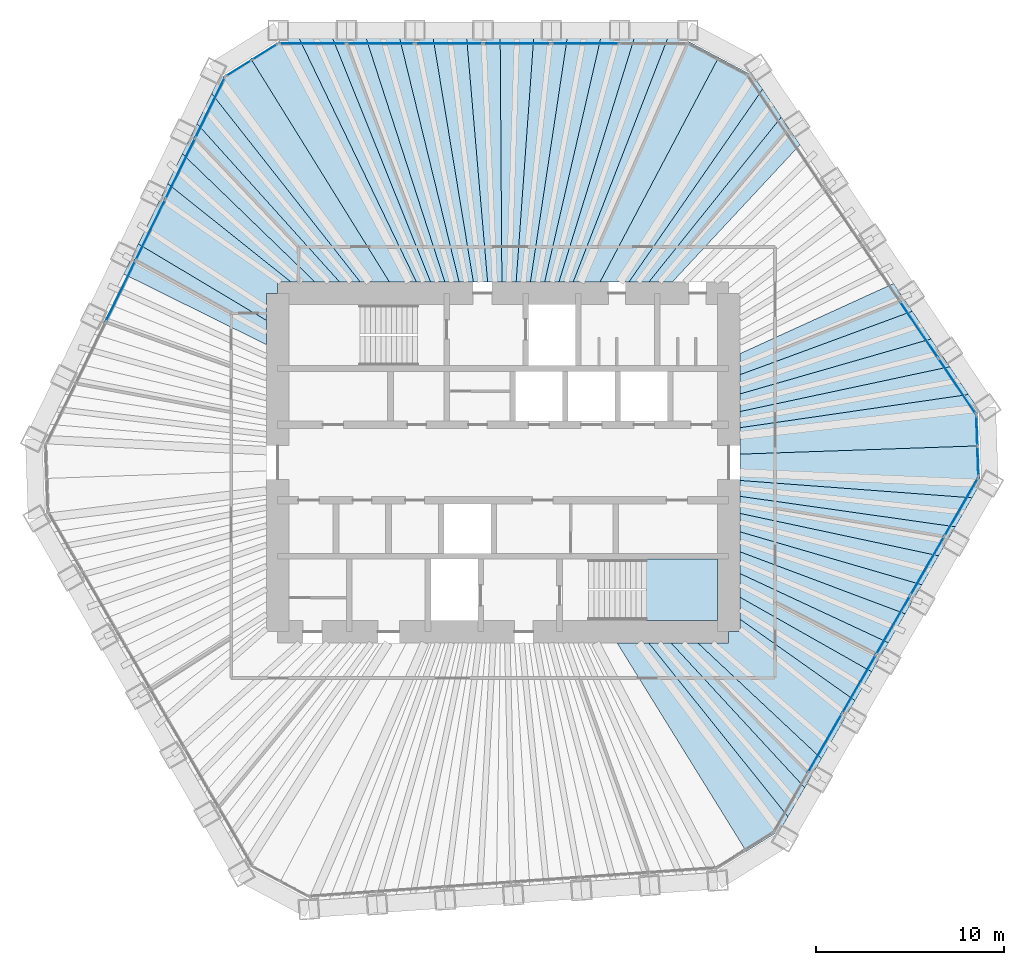
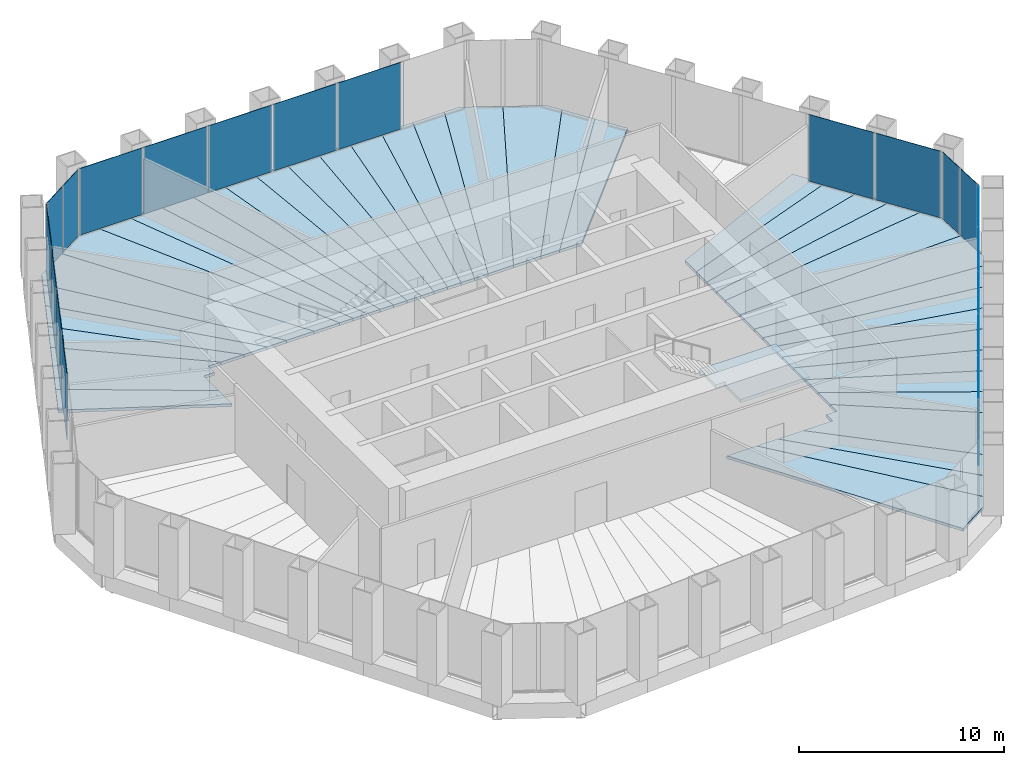
# One storey, part 9 of 13: 40 slabs, 20 plates, 7 elements without a shape of their own.
"""IFC4 building model written with IfcOpenShell, lengths in metres."""

from ifc_helpers import new_model, si_unit, direction, frame, origin, origin_2d, place, context, subcontext, project, spatial, polyline, rectangle, outline, extrude, material, layer, layer_set, type_object, element, aggregate, save


model = new_model("IFC4")

# Units and contexts
model_context = context("Model", 3, precision=1e-05, world=origin(), true_north=direction((0.0, 1.0)))
body_context = subcontext(model_context, "Body", "Model", "MODEL_VIEW")
ifc_project = project(units=[si_unit("LENGTHUNIT", "METRE"), si_unit("AREAUNIT", "SQUARE_METRE"), si_unit("VOLUMEUNIT", "CUBIC_METRE"), si_unit("PLANEANGLEUNIT", "RADIAN"), si_unit("MASSUNIT", "GRAM", prefix="KILO")], contexts=[model_context])

# Site, building, storey
site_placement = place(None, origin())
site = spatial("IfcSite", under=ifc_project, at=site_placement, CompositionType="ELEMENT")
building_placement = place(site_placement, origin())
building = spatial("IfcBuilding", under=site, at=building_placement, Name="Qingtian Harvest Tower", CompositionType="ELEMENT")
storey_placement = place(building_placement, frame((0.0, 0.0, 193.0)))
storey = spatial("IfcBuildingStorey", under=building, at=storey_placement, Name="L41", CompositionType="ELEMENT", Elevation=193.0)

# Slabs
ifc_material_1 = material(Name="Concrete fc' 35 MPa", Category="concrete")
ifc_layer_1 = layer(ifc_material_1, 0.169921875)
ifc_layer_set_1 = layer_set([ifc_layer_1], Name="Composite floor slab FS17 170")
slab_type_1 = type_object("IfcSlabType", Name="Composite floor slab FS17 170", PredefinedType="FLOOR", material=ifc_layer_set_1)
slab_1_placement = place(storey_placement, frame((0.0, 0.0, -0.169921875)))
element("IfcSlab", 1, at=slab_1_placement, inside=storey, type_object=slab_type_1, Name="Floor slab L41 panel D27", PredefinedType="FLOOR", context=body_context, shape_type="SweptSolid", body=[
    extrude(outline(polyline([(6.059326171875, -9.60009765625), (7.740966796875, -9.60009765625), (15.159423828125, -18.853271484375), (14.73681640625, -19.5849609375), (12.94140625, -20.70703125), (6.059326171875, -9.60009765625)])), origin(), (0.0, 0.0, 1.0), 0.169921875),
])
slab_2_placement = place(storey_placement, frame((0.0, 0.0, -0.169921875)))
element("IfcSlab", 2, at=slab_2_placement, inside=storey, type_object=slab_type_1, Name="Floor slab L41 panel D28", PredefinedType="FLOOR", context=body_context, shape_type="SweptSolid", body=[
    extrude(outline(polyline([(8.929443359375, -9.60009765625), (16.05029296875, -17.31005859375), (15.159423828125, -18.853271484375), (7.740966796875, -9.60009765625), (8.929443359375, -9.60009765625)])), origin(), (0.0, 0.0, 1.0), 0.169921875),
])
slab_3_placement = place(storey_placement, frame((0.0, 0.0, -0.169921875)))
element("IfcSlab", 3, at=slab_3_placement, inside=storey, type_object=slab_type_1, Name="Floor slab L41 panel D29", PredefinedType="FLOOR", context=body_context, shape_type="SweptSolid", body=[
    extrude(outline(polyline([(10.35205078125, -9.60009765625), (16.94140625, -15.766845703125), (16.05029296875, -17.31005859375), (8.929443359375, -9.60009765625), (10.35205078125, -9.60009765625)])), origin(), (0.0, 0.0, 1.0), 0.169921875),
])
slab_4_placement = place(storey_placement, frame((0.0, 0.0, -0.169921875)))
element("IfcSlab", 4, at=slab_4_placement, inside=storey, type_object=slab_type_1, Name="Floor slab L41 panel D31", PredefinedType="FLOOR", context=body_context, shape_type="SweptSolid", body=[
    extrude(outline(polyline([(12.60009765625, -8.33984375), (18.726806640625, -12.674072265625), (16.94140625, -15.766845703125), (10.35205078125, -9.60009765625), (12.0, -9.60009765625), (12.0, -9.0), (12.60009765625, -9.0), (12.60009765625, -8.33984375)])), origin(), (0.0, 0.0, 1.0), 0.169921875),
])
slab_5_placement = place(storey_placement, frame((0.0, 0.0, -0.169921875)))
element("IfcSlab", 5, at=slab_5_placement, inside=storey, type_object=slab_type_1, Name="Floor slab L41 panel D32", PredefinedType="FLOOR", context=body_context, shape_type="SweptSolid", body=[
    extrude(outline(polyline([(12.60009765625, -7.171142578125), (19.61279296875, -11.1396484375), (18.726806640625, -12.674072265625), (12.60009765625, -8.33984375), (12.60009765625, -7.171142578125)])), origin(), (0.0, 0.0, 1.0), 0.169921875),
])
slab_6_placement = place(storey_placement, frame((0.0, 0.0, -0.169921875)))
element("IfcSlab", 6, at=slab_6_placement, inside=storey, type_object=slab_type_1, Name="Floor slab L41 panel D33", PredefinedType="FLOOR", context=body_context, shape_type="SweptSolid", body=[
    extrude(outline(polyline([(12.60009765625, -5.91015625), (20.503662109375, -9.5966796875), (19.61279296875, -11.1396484375), (12.60009765625, -7.171142578125), (12.60009765625, -5.91015625)])), origin(), (0.0, 0.0, 1.0), 0.169921875),
])
slab_7_placement = place(storey_placement, frame((0.0, 0.0, -0.169921875)))
element("IfcSlab", 7, at=slab_7_placement, inside=storey, type_object=slab_type_1, Name="Floor slab L41 panel D34", PredefinedType="FLOOR", context=body_context, shape_type="SweptSolid", body=[
    extrude(outline(polyline([(12.60009765625, -4.75439453125), (21.39453125, -8.0537109375), (20.503662109375, -9.5966796875), (12.60009765625, -5.91015625), (12.60009765625, -4.75439453125)])), origin(), (0.0, 0.0, 1.0), 0.169921875),
])
slab_8_placement = place(storey_placement, frame((0.0, 0.0, -0.169921875)))
element("IfcSlab", 8, at=slab_8_placement, inside=storey, type_object=slab_type_1, Name="Floor slab L41 panel D35", PredefinedType="FLOOR", context=body_context, shape_type="SweptSolid", body=[
    extrude(outline(polyline([(12.60009765625, -3.691162109375), (22.285400390625, -6.5107421875), (21.39453125, -8.0537109375), (12.60009765625, -4.75439453125), (12.60009765625, -3.691162109375)])), origin(), (0.0, 0.0, 1.0), 0.169921875),
])
slab_9_placement = place(storey_placement, frame((0.0, 0.0, -0.169921875)))
element("IfcSlab", 9, at=slab_9_placement, inside=storey, type_object=slab_type_1, Name="Floor slab L41 panel D36", PredefinedType="FLOOR", context=body_context, shape_type="SweptSolid", body=[
    extrude(outline(polyline([(12.60009765625, -2.709716796875), (23.17626953125, -4.9677734375), (22.285400390625, -6.5107421875), (12.60009765625, -3.691162109375), (12.60009765625, -2.709716796875)])), origin(), (0.0, 0.0, 1.0), 0.169921875),
])
slab_10_placement = place(storey_placement, frame((0.0, 0.0, -0.169921875)))
element("IfcSlab", 10, at=slab_10_placement, inside=storey, type_object=slab_type_1, Name="Floor slab L41 panel D37", PredefinedType="FLOOR", context=body_context, shape_type="SweptSolid", body=[
    extrude(outline(polyline([(12.60009765625, -1.801025390625), (24.06689453125, -3.4248046875), (23.17626953125, -4.9677734375), (12.60009765625, -2.709716796875), (12.60009765625, -1.801025390625)])), origin(), (0.0, 0.0, 1.0), 0.169921875),
])
slab_11_placement = place(storey_placement, frame((0.0, 0.0, -0.169921875)))
element("IfcSlab", 11, at=slab_11_placement, inside=storey, type_object=slab_type_1, Name="Floor slab L41 panel D38", PredefinedType="FLOOR", context=body_context, shape_type="SweptSolid", body=[
    extrude(outline(polyline([(12.60009765625, -0.95703125), (24.957763671875, -1.8818359375), (24.06689453125, -3.4248046875), (12.60009765625, -1.801025390625), (12.60009765625, -0.95703125)])), origin(), (0.0, 0.0, 1.0), 0.169921875),
])
slab_12_placement = place(storey_placement, frame((0.0, 0.0, -0.169921875)))
element("IfcSlab", 12, at=slab_12_placement, inside=storey, type_object=slab_type_1, Name="Floor slab L41 panel D39", PredefinedType="FLOOR", context=body_context, shape_type="SweptSolid", body=[
    extrude(outline(polyline([(12.60009765625, -0.95703125), (12.60009765625, 0.442626953125), (25.30908203125, 0.884033203125), (25.380126953125, -1.150146484375), (24.957763671875, -1.8818359375), (12.60009765625, -0.95703125)])), origin(), (0.0, 0.0, 1.0), 0.169921875),
])
slab_13_placement = place(storey_placement, frame((0.0, 0.0, -0.169921875)))
element("IfcSlab", 13, at=slab_13_placement, inside=storey, type_object=slab_type_1, Name="Floor slab L41 panel D40", PredefinedType="FLOOR", context=body_context, shape_type="SweptSolid", body=[
    extrude(outline(polyline([(12.60009765625, 0.442626953125), (12.60009765625, 1.848876953125), (24.765625, 3.6181640625), (25.238037109375, 2.91796875), (25.30908203125, 0.884033203125), (12.60009765625, 0.442626953125)])), origin(), (0.0, 0.0, 1.0), 0.169921875),
])
slab_14_placement = place(storey_placement, frame((0.0, 0.0, -0.169921875)))
element("IfcSlab", 14, at=slab_14_placement, inside=storey, type_object=slab_type_1, Name="Floor slab L41 panel D41", PredefinedType="FLOOR", context=body_context, shape_type="SweptSolid", body=[
    extrude(outline(polyline([(12.60009765625, 2.710205078125), (23.76953125, 5.09521484375), (24.765625, 3.6181640625), (12.60009765625, 1.848876953125), (12.60009765625, 2.710205078125)])), origin(), (0.0, 0.0, 1.0), 0.169921875),
])
slab_15_placement = place(storey_placement, frame((0.0, 0.0, -0.169921875)))
element("IfcSlab", 15, at=slab_15_placement, inside=storey, type_object=slab_type_1, Name="Floor slab L41 panel D42", PredefinedType="FLOOR", context=body_context, shape_type="SweptSolid", body=[
    extrude(outline(polyline([(12.60009765625, 3.646728515625), (22.773193359375, 6.572265625), (23.76953125, 5.09521484375), (12.60009765625, 2.710205078125), (12.60009765625, 3.646728515625)])), origin(), (0.0, 0.0, 1.0), 0.169921875),
])
slab_16_placement = place(storey_placement, frame((0.0, 0.0, -0.169921875)))
element("IfcSlab", 16, at=slab_16_placement, inside=storey, type_object=slab_type_1, Name="Floor slab L41 panel D43", PredefinedType="FLOOR", context=body_context, shape_type="SweptSolid", body=[
    extrude(outline(polyline([(12.60009765625, 4.669189453125), (21.77685546875, 8.049560546875), (22.773193359375, 6.572265625), (12.60009765625, 3.646728515625), (12.60009765625, 4.669189453125)])), origin(), (0.0, 0.0, 1.0), 0.169921875),
])
slab_17_placement = place(storey_placement, frame((0.0, 0.0, -0.169921875)))
element("IfcSlab", 17, at=slab_17_placement, inside=storey, type_object=slab_type_1, Name="Floor slab L41 panel D44", PredefinedType="FLOOR", context=body_context, shape_type="SweptSolid", body=[
    extrude(outline(polyline([(12.60009765625, 5.7900390625), (20.780517578125, 9.526611328125), (21.77685546875, 8.049560546875), (12.60009765625, 4.669189453125), (12.60009765625, 5.7900390625)])), origin(), (0.0, 0.0, 1.0), 0.169921875),
])
slab_18_placement = place(storey_placement, frame((0.0, 0.0, -0.169921875)))
element("IfcSlab", 18, at=slab_18_placement, inside=storey, type_object=slab_type_1, Name="Floor slab L41 panel D50", PredefinedType="FLOOR", context=body_context, shape_type="SweptSolid", body=[
    extrude(outline(polyline([(7.751220703125, 9.60009765625), (14.8037109375, 18.3876953125), (15.800048828125, 16.910400390625), (8.998291015625, 9.60009765625), (7.751220703125, 9.60009765625)])), origin(), (0.0, 0.0, 1.0), 0.169921875),
])
slab_19_placement = place(storey_placement, frame((0.0, 0.0, -0.169921875)))
element("IfcSlab", 19, at=slab_19_placement, inside=storey, type_object=slab_type_1, Name="Floor slab L41 panel D51", PredefinedType="FLOOR", context=body_context, shape_type="SweptSolid", body=[
    extrude(outline(polyline([(6.6904296875, 9.60009765625), (13.807373046875, 19.86474609375), (14.8037109375, 18.3876953125), (7.751220703125, 9.60009765625), (6.6904296875, 9.60009765625)])), origin(), (0.0, 0.0, 1.0), 0.169921875),
])
slab_20_placement = place(storey_placement, frame((0.0, 0.0, -0.169921875)))
element("IfcSlab", 20, at=slab_20_placement, inside=storey, type_object=slab_type_1, Name="Floor slab L41 panel D52", PredefinedType="FLOOR", context=body_context, shape_type="SweptSolid", body=[
    extrude(outline(polyline([(6.6904296875, 9.60009765625), (5.15185546875, 9.60009765625), (11.465087890625, 21.559326171875), (13.334716796875, 20.5654296875), (13.807373046875, 19.86474609375), (6.6904296875, 9.60009765625)])), origin(), (0.0, 0.0, 1.0), 0.169921875),
])
slab_21_placement = place(storey_placement, frame((0.0, 0.0, -0.169921875)))
element("IfcSlab", 21, at=slab_21_placement, inside=storey, type_object=slab_type_1, Name="Floor slab L41 panel D53", PredefinedType="FLOOR", context=body_context, shape_type="SweptSolid", body=[
    extrude(outline(polyline([(3.7236328125, 9.60009765625), (8.748291015625, 22.554931640625), (9.5927734375, 22.554931640625), (11.465087890625, 21.559326171875), (5.15185546875, 9.60009765625), (3.7236328125, 9.60009765625)])), origin(), (0.0, 0.0, 1.0), 0.169921875),
])
slab_22_placement = place(storey_placement, frame((0.0, 0.0, -0.169921875)))
element("IfcSlab", 22, at=slab_22_placement, inside=storey, type_object=slab_type_1, Name="Floor slab L41 panel D54", PredefinedType="FLOOR", context=body_context, shape_type="SweptSolid", body=[
    extrude(outline(polyline([(2.96533203125, 9.60009765625), (6.966796875, 22.554931640625), (8.748291015625, 22.554931640625), (3.7236328125, 9.60009765625), (2.96533203125, 9.60009765625)])), origin(), (0.0, 0.0, 1.0), 0.169921875),
])
slab_23_placement = place(storey_placement, frame((0.0, 0.0, -0.169921875)))
element("IfcSlab", 23, at=slab_23_placement, inside=storey, type_object=slab_type_1, Name="Floor slab L41 panel D55", PredefinedType="FLOOR", context=body_context, shape_type="SweptSolid", body=[
    extrude(outline(polyline([(2.206787109375, 9.60009765625), (5.18505859375, 22.554931640625), (6.966796875, 22.554931640625), (2.96533203125, 9.60009765625), (2.206787109375, 9.60009765625)])), origin(), (0.0, 0.0, 1.0), 0.169921875),
])
slab_24_placement = place(storey_placement, frame((0.0, 0.0, -0.169921875)))
element("IfcSlab", 24, at=slab_24_placement, inside=storey, type_object=slab_type_1, Name="Floor slab L41 panel D56", PredefinedType="FLOOR", context=body_context, shape_type="SweptSolid", body=[
    extrude(outline(polyline([(1.448486328125, 9.60009765625), (3.403564453125, 22.554931640625), (5.18505859375, 22.554931640625), (2.206787109375, 9.60009765625), (1.448486328125, 9.60009765625)])), origin(), (0.0, 0.0, 1.0), 0.169921875),
])
slab_25_placement = place(storey_placement, frame((0.0, 0.0, -0.169921875)))
element("IfcSlab", 25, at=slab_25_placement, inside=storey, type_object=slab_type_1, Name="Floor slab L41 panel D57", PredefinedType="FLOOR", context=body_context, shape_type="SweptSolid", body=[
    extrude(outline(polyline([(0.690185546875, 9.60009765625), (1.621826171875, 22.554931640625), (3.403564453125, 22.554931640625), (1.448486328125, 9.60009765625), (0.690185546875, 9.60009765625)])), origin(), (0.0, 0.0, 1.0), 0.169921875),
])
slab_26_placement = place(storey_placement, frame((0.0, 0.0, -0.169921875)))
element("IfcSlab", 26, at=slab_26_placement, inside=storey, type_object=slab_type_1, Name="Floor slab L41 panel D58", PredefinedType="FLOOR", context=body_context, shape_type="SweptSolid", body=[
    extrude(outline(polyline([(-0.068115234375, 9.60009765625), (-0.159912109375, 22.554931640625), (1.621826171875, 22.554931640625), (0.690185546875, 9.60009765625), (-0.068115234375, 9.60009765625)])), origin(), (0.0, 0.0, 1.0), 0.169921875),
])
slab_27_placement = place(storey_placement, frame((0.0, 0.0, -0.169921875)))
element("IfcSlab", 27, at=slab_27_placement, inside=storey, type_object=slab_type_1, Name="Floor slab L41 panel D59", PredefinedType="FLOOR", context=body_context, shape_type="SweptSolid", body=[
    extrude(outline(polyline([(-0.826416015625, 9.60009765625), (-1.94140625, 22.554931640625), (-0.159912109375, 22.554931640625), (-0.068115234375, 9.60009765625), (-0.826416015625, 9.60009765625)])), origin(), (0.0, 0.0, 1.0), 0.169921875),
])
slab_28_placement = place(storey_placement, frame((0.0, 0.0, -0.169921875)))
element("IfcSlab", 28, at=slab_28_placement, inside=storey, type_object=slab_type_1, Name="Floor slab L41 panel D60", PredefinedType="FLOOR", context=body_context, shape_type="SweptSolid", body=[
    extrude(outline(polyline([(-1.584716796875, 9.60009765625), (-3.72314453125, 22.554931640625), (-1.94140625, 22.554931640625), (-0.826416015625, 9.60009765625), (-1.584716796875, 9.60009765625)])), origin(), (0.0, 0.0, 1.0), 0.169921875),
])
slab_29_placement = place(storey_placement, frame((0.0, 0.0, -0.169921875)))
element("IfcSlab", 29, at=slab_29_placement, inside=storey, type_object=slab_type_1, Name="Floor slab L41 panel D61", PredefinedType="FLOOR", context=body_context, shape_type="SweptSolid", body=[
    extrude(outline(polyline([(-2.343017578125, 9.60009765625), (-5.504638671875, 22.554931640625), (-3.72314453125, 22.554931640625), (-1.584716796875, 9.60009765625), (-2.343017578125, 9.60009765625)])), origin(), (0.0, 0.0, 1.0), 0.169921875),
])
slab_30_placement = place(storey_placement, frame((0.0, 0.0, -0.169921875)))
element("IfcSlab", 30, at=slab_30_placement, inside=storey, type_object=slab_type_1, Name="Floor slab L41 panel D62", PredefinedType="FLOOR", context=body_context, shape_type="SweptSolid", body=[
    extrude(outline(polyline([(-3.101318359375, 9.60009765625), (-7.286376953125, 22.554931640625), (-5.504638671875, 22.554931640625), (-2.343017578125, 9.60009765625), (-3.101318359375, 9.60009765625)])), origin(), (0.0, 0.0, 1.0), 0.169921875),
])
slab_31_placement = place(storey_placement, frame((0.0, 0.0, -0.169921875)))
element("IfcSlab", 31, at=slab_31_placement, inside=storey, type_object=slab_type_1, Name="Floor slab L41 panel D63", PredefinedType="FLOOR", context=body_context, shape_type="SweptSolid", body=[
    extrude(outline(polyline([(-3.859619140625, 9.60009765625), (-9.06787109375, 22.554931640625), (-7.286376953125, 22.554931640625), (-3.101318359375, 9.60009765625), (-3.859619140625, 9.60009765625)])), origin(), (0.0, 0.0, 1.0), 0.169921875),
])
slab_32_placement = place(storey_placement, frame((0.0, 0.0, -0.169921875)))
element("IfcSlab", 32, at=slab_32_placement, inside=storey, type_object=slab_type_1, Name="Floor slab L41 panel D64", PredefinedType="FLOOR", context=body_context, shape_type="SweptSolid", body=[
    extrude(outline(polyline([(-4.617919921875, 9.60009765625), (-10.849609375, 22.554931640625), (-9.06787109375, 22.554931640625), (-3.859619140625, 9.60009765625), (-4.617919921875, 9.60009765625)])), origin(), (0.0, 0.0, 1.0), 0.169921875),
])
slab_33_placement = place(storey_placement, frame((0.0, 0.0, -0.169921875)))
element("IfcSlab", 33, at=slab_33_placement, inside=storey, type_object=slab_type_1, Name="Floor slab L41 panel D65", PredefinedType="FLOOR", context=body_context, shape_type="SweptSolid", body=[
    extrude(outline(polyline([(-4.617919921875, 9.60009765625), (-6.050537109375, 9.60009765625), (-13.42138671875, 21.4755859375), (-11.69384765625, 22.554931640625), (-10.849609375, 22.554931640625), (-4.617919921875, 9.60009765625)])), origin(), (0.0, 0.0, 1.0), 0.169921875),
])
slab_34_placement = place(storey_placement, frame((0.0, 0.0, -0.169921875)))
element("IfcSlab", 34, at=slab_34_placement, inside=storey, type_object=slab_type_1, Name="Floor slab L41 panel D66", PredefinedType="FLOOR", context=body_context, shape_type="SweptSolid", body=[
    extrude(outline(polyline([(-6.050537109375, 9.60009765625), (-7.60498046875, 9.60009765625), (-15.516357421875, 19.638427734375), (-15.14599609375, 20.39794921875), (-13.42138671875, 21.4755859375), (-6.050537109375, 9.60009765625)])), origin(), (0.0, 0.0, 1.0), 0.169921875),
])
slab_35_placement = place(storey_placement, frame((0.0, 0.0, -0.169921875)))
element("IfcSlab", 35, at=slab_35_placement, inside=storey, type_object=slab_type_1, Name="Floor slab L41 panel D67", PredefinedType="FLOOR", context=body_context, shape_type="SweptSolid", body=[
    extrude(outline(polyline([(-8.699951171875, 9.60009765625), (-16.297607421875, 18.036865234375), (-15.516357421875, 19.638427734375), (-7.60498046875, 9.60009765625), (-8.699951171875, 9.60009765625)])), origin(), (0.0, 0.0, 1.0), 0.169921875),
])
slab_36_placement = place(storey_placement, frame((0.0, 0.0, -0.169921875)))
element("IfcSlab", 36, at=slab_36_placement, inside=storey, type_object=slab_type_1, Name="Floor slab L41 panel D68", PredefinedType="FLOOR", context=body_context, shape_type="SweptSolid", body=[
    extrude(outline(polyline([(-10.009765625, 9.60009765625), (-17.07861328125, 16.435302734375), (-16.297607421875, 18.036865234375), (-8.699951171875, 9.60009765625), (-10.009765625, 9.60009765625)])), origin(), (0.0, 0.0, 1.0), 0.169921875),
])
slab_37_placement = place(storey_placement, frame((0.0, 0.0, -0.169921875)))
element("IfcSlab", 37, at=slab_37_placement, inside=storey, type_object=slab_type_1, Name="Floor slab L41 panel D69", PredefinedType="FLOOR", context=body_context, shape_type="SweptSolid", body=[
    extrude(outline(polyline([(-11.28759765625, 9.60009765625), (-17.855224609375, 14.84326171875), (-17.07861328125, 16.435302734375), (-10.009765625, 9.60009765625), (-11.28759765625, 9.60009765625)])), origin(), (0.0, 0.0, 1.0), 0.169921875),
])
slab_38_placement = place(storey_placement, frame((0.0, 0.0, -0.169921875)))
element("IfcSlab", 38, at=slab_38_placement, inside=storey, type_object=slab_type_1, Name="Floor slab L41 panel D70", PredefinedType="FLOOR", context=body_context, shape_type="SweptSolid", body=[
    extrude(outline(polyline([(-12.0, 9.0), (-12.60009765625, 9.0), (-12.60009765625, 7.560302734375), (-19.4208984375, 11.633056640625), (-17.855224609375, 14.84326171875), (-11.28759765625, 9.60009765625), (-12.0, 9.60009765625), (-12.0, 9.0)])), origin(), (0.0, 0.0, 1.0), 0.169921875),
])
slab_39_placement = place(storey_placement, frame((0.0, 0.0, -0.169921875)))
element("IfcSlab", 39, at=slab_39_placement, inside=storey, type_object=slab_type_1, Name="Floor slab L41 panel D72", PredefinedType="FLOOR", context=body_context, shape_type="SweptSolid", body=[
    extrude(outline(polyline([(-12.60009765625, 6.268310546875), (-20.201904296875, 10.031494140625), (-19.4208984375, 11.633056640625), (-12.60009765625, 7.560302734375), (-12.60009765625, 6.268310546875)])), origin(), (0.0, 0.0, 1.0), 0.169921875),
])

# Curtain wall, plates
ifc_material_2 = material(Name="Bronze-anodised aluminium curtain wall", Category="aluminium")
curtain_wall_type = type_object("IfcCurtainWallType", Name="Curtain wall CW4 office", PredefinedType="USERDEFINED", material=ifc_material_2)
curtain_wall_1_placement = place(storey_placement, origin())
curtain_wall_1 = element("IfcCurtainWall", 40, at=curtain_wall_1_placement, inside=storey, type_object=curtain_wall_type, Name="Curtain wall CW4 L41 N0-5", ObjectType="RECESSED CURTAIN WALL", PredefinedType="USERDEFINED")
ifc_material_3 = material(Name="Bronze-tinted laminated insulating glass", Category="glass")
ifc_layer_2 = layer(ifc_material_3, 0.030029296875)
ifc_layer_set_2 = layer_set([ifc_layer_2], Name="Glazed panel CWP tinted IGU")
plate_type = type_object("IfcPlateType", Name="Glazed panel CWP tinted IGU", PredefinedType="CURTAIN_PANEL", material=ifc_layer_set_2)
plate_1_placement = place(storey_placement, frame((-10.138916015625, 22.300048828125, 0.06494140625), z_axis=(0.0, 0.0, 1.0), x_axis=(1.0, 0.0, 0.0)))
plate_1 = element("IfcPlate", 41, at=plate_1_placement, type_object=plate_type, Name="CW4 panel 1.1", PredefinedType="CURTAIN_PANEL", context=body_context, shape_type="SweptSolid", body=[
    extrude(rectangle(XDim=3.5361328125, YDim=0.030029296875, at=origin_2d()), origin(), (0.0, 0.0, 1.0), 3.965087890625),
])
plate_2_placement = place(storey_placement, frame((-6.521728515625, 22.300048828125, 0.06494140625), z_axis=(0.0, 0.0, 1.0), x_axis=(1.0, 0.0, 0.0)))
plate_2 = element("IfcPlate", 42, at=plate_2_placement, type_object=plate_type, Name="CW4 panel 2.1", PredefinedType="CURTAIN_PANEL", context=body_context, shape_type="SweptSolid", body=[
    extrude(rectangle(XDim=3.568603515625, YDim=0.030029296875, at=origin_2d()), origin(), (0.0, 0.0, 1.0), 3.965087890625),
])
plate_3_placement = place(storey_placement, frame((-2.88818359375, 22.300048828125, 0.06494140625), z_axis=(0.0, 0.0, 1.0), x_axis=(1.0, 0.0, 0.0)))
plate_3 = element("IfcPlate", 43, at=plate_3_placement, type_object=plate_type, Name="CW4 panel 3.1", PredefinedType="CURTAIN_PANEL", context=body_context, shape_type="SweptSolid", body=[
    extrude(rectangle(XDim=3.568603515625, YDim=0.030029296875, at=origin_2d()), origin(), (0.0, 0.0, 1.0), 3.965087890625),
])
plate_4_placement = place(storey_placement, frame((0.745361328125, 22.300048828125, 0.06494140625), z_axis=(0.0, 0.0, 1.0), x_axis=(1.0, 0.0, 0.0)))
plate_4 = element("IfcPlate", 44, at=plate_4_placement, type_object=plate_type, Name="CW4 panel 4.1", PredefinedType="CURTAIN_PANEL", context=body_context, shape_type="SweptSolid", body=[
    extrude(rectangle(XDim=3.568603515625, YDim=0.030029296875, at=origin_2d()), origin(), (0.0, 0.0, 1.0), 3.965087890625),
])
plate_5_placement = place(storey_placement, frame((4.37890625, 22.300048828125, 0.06494140625), z_axis=(0.0, 0.0, 1.0), x_axis=(1.0, 0.0, 0.0)))
plate_5 = element("IfcPlate", 45, at=plate_5_placement, type_object=plate_type, Name="CW4 panel 5.1", PredefinedType="CURTAIN_PANEL", context=body_context, shape_type="SweptSolid", body=[
    extrude(rectangle(XDim=3.568603515625, YDim=0.030029296875, at=origin_2d()), origin(), (0.0, 0.0, 1.0), 3.965087890625),
])
aggregate(curtain_wall_1, [plate_1, plate_2, plate_3, plate_4, plate_5])

curtain_wall_2_placement = place(storey_placement, origin())
curtain_wall_2 = element("IfcCurtainWall", 46, at=curtain_wall_2_placement, inside=storey, type_object=curtain_wall_type, Name="Curtain wall CW4 L41 NE0-5", ObjectType="RECESSED CURTAIN WALL", PredefinedType="USERDEFINED")
plate_6_placement = place(storey_placement, frame((22.134521484375, 7.063232421875, 0.06494140625), z_axis=(0.0, 0.0, 1.0), x_axis=(0.559192903471, -0.829037572555, 0.0)))
plate_6 = element("IfcPlate", 47, at=plate_6_placement, type_object=plate_type, Name="CW4 panel 5.1", PredefinedType="CURTAIN_PANEL", context=body_context, shape_type="SweptSolid", body=[
    extrude(rectangle(XDim=3.568603515625, YDim=0.030029296875, at=origin_2d()), origin(), (0.0, 0.0, 1.0), 3.965087890625),
])
plate_7_placement = place(storey_placement, frame((24.1572265625, 4.064453125, 0.06494140625), z_axis=(0.0, 0.0, 1.0), x_axis=(0.559192903471, -0.829037572555, 0.0)))
plate_7 = element("IfcPlate", 48, at=plate_7_placement, type_object=plate_type, Name="CW4 panel 6.1", PredefinedType="CURTAIN_PANEL", context=body_context, shape_type="SweptSolid", body=[
    extrude(rectangle(XDim=3.5361328125, YDim=0.030029296875, at=origin_2d()), origin(), (0.0, 0.0, 1.0), 3.965087890625),
])
aggregate(curtain_wall_2, [plate_6, plate_7])

curtain_wall_3_placement = place(storey_placement, origin())
curtain_wall_3 = element("IfcCurtainWall", 49, at=curtain_wall_3_placement, inside=storey, type_object=curtain_wall_type, Name="Curtain wall CW4 L41 NEC", ObjectType="RECESSED CURTAIN WALL", PredefinedType="USERDEFINED")
plate_8_placement = place(storey_placement, frame((25.2119140625, 1.69677734375, 0.06494140625), z_axis=(0.0, 0.0, 1.0), x_axis=(0.034899496703, -0.999390827019, 0.0)))
plate_8 = element("IfcPlate", 50, at=plate_8_placement, type_object=plate_type, Name="CW4 panel 1.1", PredefinedType="CURTAIN_PANEL", context=body_context, shape_type="SweptSolid", body=[
    extrude(rectangle(XDim=1.56689453125, YDim=0.030029296875, at=origin_2d()), origin(), (0.0, 0.0, 1.0), 3.965087890625),
])
plate_9_placement = place(storey_placement, frame((25.268798828125, 0.06591796875, 0.06494140625), z_axis=(0.0, 0.0, 1.0), x_axis=(0.034899496703, -0.999390827019, 0.0)))
plate_9 = element("IfcPlate", 51, at=plate_9_placement, type_object=plate_type, Name="CW4 panel 2.1", PredefinedType="CURTAIN_PANEL", context=body_context, shape_type="SweptSolid", body=[
    extrude(rectangle(XDim=1.56689453125, YDim=0.030029296875, at=origin_2d()), origin(), (0.0, 0.0, 1.0), 3.965087890625),
])
aggregate(curtain_wall_3, [plate_8, plate_9])

curtain_wall_4_placement = place(storey_placement, origin())
curtain_wall_4 = element("IfcCurtainWall", 52, at=curtain_wall_4_placement, inside=storey, type_object=curtain_wall_type, Name="Curtain wall CW4 L41 SE0-5", ObjectType="RECESSED CURTAIN WALL", PredefinedType="USERDEFINED")
plate_10_placement = place(storey_placement, frame((24.3818359375, -2.369384765625, 0.06494140625), z_axis=(0.0, 0.0, 1.0), x_axis=(-0.5, -0.866025403784, 0.0)))
plate_10 = element("IfcPlate", 53, at=plate_10_placement, type_object=plate_type, Name="CW4 panel 1.1", PredefinedType="CURTAIN_PANEL", context=body_context, shape_type="SweptSolid", body=[
    extrude(rectangle(XDim=3.5361328125, YDim=0.030029296875, at=origin_2d()), origin(), (0.0, 0.0, 1.0), 3.965087890625),
])
plate_11_placement = place(storey_placement, frame((22.5732421875, -5.501953125, 0.06494140625), z_axis=(0.0, 0.0, 1.0), x_axis=(-0.5, -0.866025403784, 0.0)))
plate_11 = element("IfcPlate", 54, at=plate_11_placement, type_object=plate_type, Name="CW4 panel 2.1", PredefinedType="CURTAIN_PANEL", context=body_context, shape_type="SweptSolid", body=[
    extrude(rectangle(XDim=3.568603515625, YDim=0.030029296875, at=origin_2d()), origin(), (0.0, 0.0, 1.0), 3.965087890625),
])
plate_12_placement = place(storey_placement, frame((20.75634765625, -8.64892578125, 0.06494140625), z_axis=(0.0, 0.0, 1.0), x_axis=(-0.5, -0.866025403784, 0.0)))
plate_12 = element("IfcPlate", 55, at=plate_12_placement, type_object=plate_type, Name="CW4 panel 3.1", PredefinedType="CURTAIN_PANEL", context=body_context, shape_type="SweptSolid", body=[
    extrude(rectangle(XDim=3.568603515625, YDim=0.030029296875, at=origin_2d()), origin(), (0.0, 0.0, 1.0), 3.965087890625),
])
plate_13_placement = place(storey_placement, frame((18.939697265625, -11.795654296875, 0.06494140625), z_axis=(0.0, 0.0, 1.0), x_axis=(-0.5, -0.866025403784, 0.0)))
plate_13 = element("IfcPlate", 56, at=plate_13_placement, type_object=plate_type, Name="CW4 panel 4.1", PredefinedType="CURTAIN_PANEL", context=body_context, shape_type="SweptSolid", body=[
    extrude(rectangle(XDim=3.568603515625, YDim=0.030029296875, at=origin_2d()), origin(), (0.0, 0.0, 1.0), 3.965087890625),
])
plate_14_placement = place(storey_placement, frame((17.122802734375, -14.9423828125, 0.06494140625), z_axis=(0.0, 0.0, 1.0), x_axis=(-0.5, -0.866025403784, 0.0)))
plate_14 = element("IfcPlate", 57, at=plate_14_placement, type_object=plate_type, Name="CW4 panel 5.1", PredefinedType="CURTAIN_PANEL", context=body_context, shape_type="SweptSolid", body=[
    extrude(rectangle(XDim=3.568603515625, YDim=0.030029296875, at=origin_2d()), origin(), (0.0, 0.0, 1.0), 3.965087890625),
])
aggregate(curtain_wall_4, [plate_10, plate_11, plate_12, plate_13, plate_14])

curtain_wall_5_placement = place(storey_placement, origin())
curtain_wall_5 = element("IfcCurtainWall", 58, at=curtain_wall_5_placement, inside=storey, type_object=curtain_wall_type, Name="Curtain wall CW4 L41 NW0-5", ObjectType="RECESSED CURTAIN WALL", PredefinedType="USERDEFINED")
plate_15_placement = place(storey_placement, frame((-20.369873046875, 9.105712890625, 0.06494140625), z_axis=(0.0, 0.0, 1.0), x_axis=(0.438371146789, 0.898794046299, 0.0)))
plate_15 = element("IfcPlate", 59, at=plate_15_placement, type_object=plate_type, Name="CW4 panel 3.1", PredefinedType="CURTAIN_PANEL", context=body_context, shape_type="SweptSolid", body=[
    extrude(rectangle(XDim=3.568603515625, YDim=0.030029296875, at=origin_2d()), origin(), (0.0, 0.0, 1.0), 3.965087890625),
])
plate_16_placement = place(storey_placement, frame((-18.777099609375, 12.37158203125, 0.06494140625), z_axis=(0.0, 0.0, 1.0), x_axis=(0.438371146789, 0.898794046299, 0.0)))
plate_16 = element("IfcPlate", 60, at=plate_16_placement, type_object=plate_type, Name="CW4 panel 4.1", PredefinedType="CURTAIN_PANEL", context=body_context, shape_type="SweptSolid", body=[
    extrude(rectangle(XDim=3.568603515625, YDim=0.030029296875, at=origin_2d()), origin(), (0.0, 0.0, 1.0), 3.965087890625),
])
plate_17_placement = place(storey_placement, frame((-17.18408203125, 15.63720703125, 0.06494140625), z_axis=(0.0, 0.0, 1.0), x_axis=(0.438371146789, 0.898794046299, 0.0)))
plate_17 = element("IfcPlate", 61, at=plate_17_placement, type_object=plate_type, Name="CW4 panel 5.1", PredefinedType="CURTAIN_PANEL", context=body_context, shape_type="SweptSolid", body=[
    extrude(rectangle(XDim=3.568603515625, YDim=0.030029296875, at=origin_2d()), origin(), (0.0, 0.0, 1.0), 3.965087890625),
])
plate_18_placement = place(storey_placement, frame((-15.598388671875, 18.888427734375, 0.06494140625), z_axis=(0.0, 0.0, 1.0), x_axis=(0.438371146789, 0.898794046299, 0.0)))
plate_18 = element("IfcPlate", 62, at=plate_18_placement, type_object=plate_type, Name="CW4 panel 6.1", PredefinedType="CURTAIN_PANEL", context=body_context, shape_type="SweptSolid", body=[
    extrude(rectangle(XDim=3.5361328125, YDim=0.030029296875, at=origin_2d()), origin(), (0.0, 0.0, 1.0), 3.965087890625),
])
aggregate(curtain_wall_5, [plate_15, plate_16, plate_17, plate_18])

curtain_wall_6_placement = place(storey_placement, origin())
curtain_wall_6 = element("IfcCurtainWall", 63, at=curtain_wall_6_placement, inside=storey, type_object=curtain_wall_type, Name="Curtain wall CW4 L41 NWC", ObjectType="RECESSED CURTAIN WALL", PredefinedType="USERDEFINED")
plate_19_placement = place(storey_placement, frame((-14.075439453125, 20.985595703125, 0.06494140625), z_axis=(0.0, 0.0, 1.0), x_axis=(0.848048096156, 0.529919264233, 0.0)))
plate_19 = element("IfcPlate", 64, at=plate_19_placement, type_object=plate_type, Name="CW4 panel 1.1", PredefinedType="CURTAIN_PANEL", context=body_context, shape_type="SweptSolid", body=[
    extrude(rectangle(XDim=1.56689453125, YDim=0.030029296875, at=origin_2d()), origin(), (0.0, 0.0, 1.0), 3.965087890625),
])
plate_20_placement = place(storey_placement, frame((-12.69140625, 21.850341796875, 0.06494140625), z_axis=(0.0, 0.0, 1.0), x_axis=(0.848048096156, 0.529919264233, 0.0)))
plate_20 = element("IfcPlate", 65, at=plate_20_placement, type_object=plate_type, Name="CW4 panel 2.1", PredefinedType="CURTAIN_PANEL", context=body_context, shape_type="SweptSolid", body=[
    extrude(rectangle(XDim=1.56689453125, YDim=0.030029296875, at=origin_2d()), origin(), (0.0, 0.0, 1.0), 3.965087890625),
])
aggregate(curtain_wall_6, [plate_19, plate_20])

# Stair, slab
ifc_material_4 = material(Name="Concrete fc' 35 MPa", Category="concrete")
stair_type = type_object("IfcStairType", Name="Special stair ST4 4200", PredefinedType="HALF_TURN_STAIR", material=ifc_material_4)
stair_placement = place(storey_placement, origin())
stair = element("IfcStair", 66, at=stair_placement, inside=storey, type_object=stair_type, Name="Special stair S2 L41", PredefinedType="HALF_TURN_STAIR")
ifc_material_5 = material(Name="Concrete fc' 35 MPa", Category="concrete")
ifc_layer_3 = layer(ifc_material_5, 0.199951171875)
ifc_layer_set_3 = layer_set([ifc_layer_3], Name="Stair landing SL2 200")
slab_type_2 = type_object("IfcSlabType", Name="Stair landing SL2 200", PredefinedType="LANDING", material=ifc_layer_set_3)
slab_40_placement = place(storey_placement, frame((0.0, 0.0, 1.89990234375)))
slab_40 = element("IfcSlab", 67, at=slab_40_placement, type_object=slab_type_2, Name="S2 landing 2", PredefinedType="LANDING", context=body_context, shape_type="SweptSolid", body=[
    extrude(outline(polyline([(7.530029296875, -8.39990234375), (7.530029296875, -6.824951171875), (7.6298828125, -6.824951171875), (7.6298828125, -6.72509765625), (7.094970703125, -6.72509765625), (7.094970703125, -5.14990234375), (11.39990234375, -5.14990234375), (11.39990234375, -8.39990234375), (7.530029296875, -8.39990234375)])), origin(), (0.0, 0.0, 1.0), 0.2001953125),
])
aggregate(stair, [slab_40])

save(model, "model.ifc")
